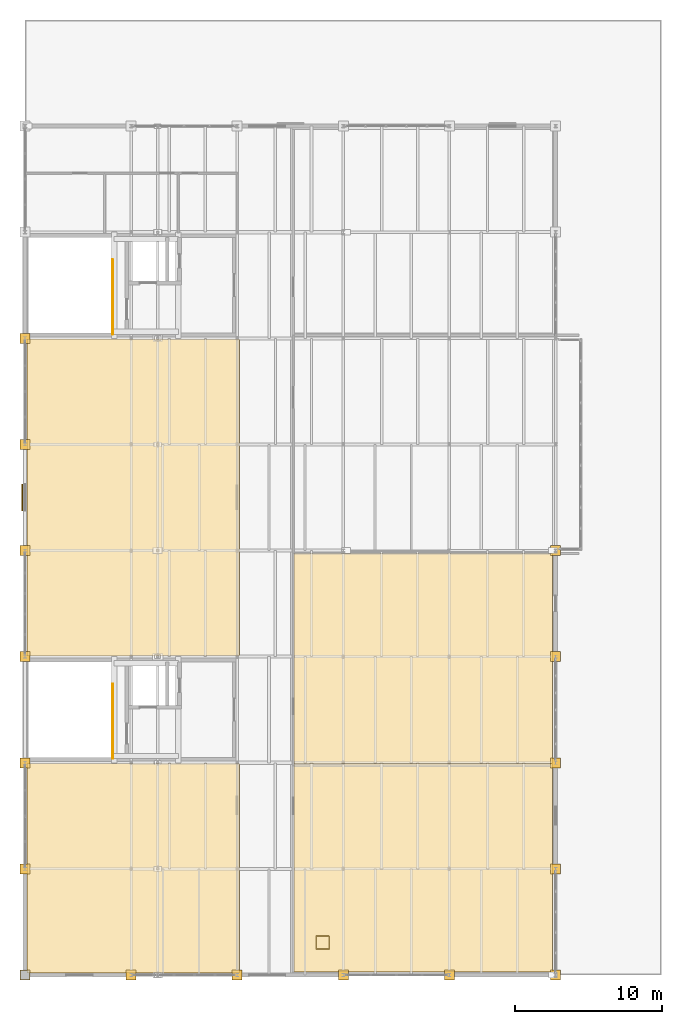
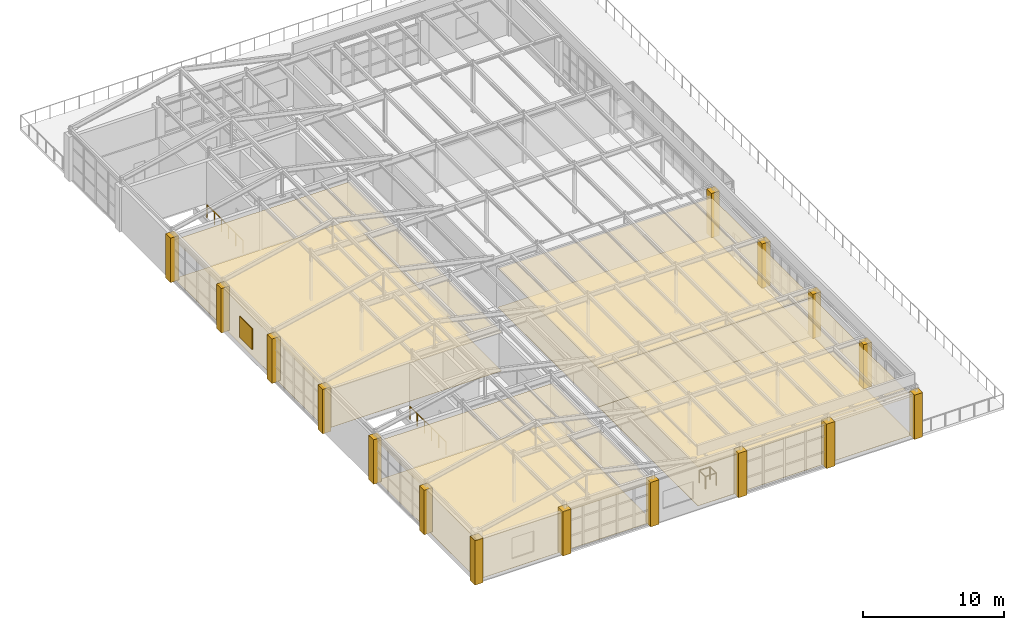
# One storey, part 42 of 43: 24 coverings, 3 railings, 1 shading device.
"""IFC4 building model written with IfcOpenShell, lengths in metres."""

from ifc_helpers import new_model, si_unit, direction, frame, origin, origin_2d, place, context, subcontext, project, spatial, polyline, rectangle, circle, outline, extrude, material, layer, layer_set, type_object, element, save


model = new_model("IFC4")

# Units and contexts
model_context = context("Model", 3, precision=1e-05, world=origin(), true_north=direction((0.0, 1.0)))
body_context = subcontext(model_context, "Body", "Model", "MODEL_VIEW")
ifc_project = project(units=[si_unit("LENGTHUNIT", "METRE"), si_unit("AREAUNIT", "SQUARE_METRE"), si_unit("VOLUMEUNIT", "CUBIC_METRE"), si_unit("PLANEANGLEUNIT", "RADIAN"), si_unit("MASSUNIT", "GRAM", prefix="KILO")], contexts=[model_context])

# Site, building, storey
site_placement = place(None, origin())
site = spatial("IfcSite", under=ifc_project, at=site_placement, CompositionType="ELEMENT")
building_placement = place(site_placement, origin())
building = spatial("IfcBuilding", under=site, at=building_placement, Name="Kemerveld Promenade Tramway Depot", CompositionType="ELEMENT")
storey_placement = place(building_placement, frame((0.0, 0.0, 18.89990234375)))
storey = spatial("IfcBuildingStorey", under=building, at=storey_placement, Name="L04", CompositionType="ELEMENT", Elevation=18.89990234375)

# Coverings
ifc_material_1 = material(Name="Perforated mineral-fibre acoustic ceiling")
ifc_layer_1 = layer(ifc_material_1, 0.02490234375)
ifc_layer_set_1 = layer_set([ifc_layer_1], Name="COV-CEIL-AC")
covering_type_1 = type_object("IfcCoveringType", Name="COV-CEIL-AC", PredefinedType="CEILING", material=ifc_layer_set_1)
covering_1_placement = place(storey_placement, frame((0.0, 0.0, 3.35498046875)))
element("IfcCovering", 1, at=covering_1_placement, inside=storey, type_object=covering_type_1, Name="CEIL-RM-L04-V5-INC", PredefinedType="CEILING", context=body_context, shape_type="SweptSolid", body=[
    extrude(outline(polyline([(18.257568359375, 14.050048828125), (35.784912109375, 14.050048828125), (35.784912109375, 28.60009765625), (18.257568359375, 28.60009765625), (18.257568359375, 14.050048828125)])), origin(), (0.0, 0.0, 1.0), 0.025146484375),
])
covering_2_placement = place(storey_placement, frame((0.0, 0.0, 3.35498046875)))
element("IfcCovering", 2, at=covering_2_placement, inside=storey, type_object=covering_type_1, Name="CEIL-RM-L04-V5-DIR", PredefinedType="CEILING", context=body_context, shape_type="SweptSolid", body=[
    extrude(outline(polyline([(18.257568359375, 0.215087890625), (35.784912109375, 0.215087890625), (35.784912109375, 14.35009765625), (18.257568359375, 14.35009765625), (18.257568359375, 0.215087890625)])), origin(), (0.0, 0.0, 1.0), 0.025146484375),
])
covering_3_placement = place(storey_placement, frame((0.0, 0.0, 3.35498046875)))
element("IfcCovering", 3, at=covering_3_placement, inside=storey, type_object=covering_type_1, Name="CEIL-RM-L04-V5-PLAN", PredefinedType="CEILING", context=body_context, shape_type="SweptSolid", body=[
    extrude(outline(polyline([(0.14990234375, 0.14990234375), (14.550048828125, 0.14990234375), (14.550048828125, 14.35009765625), (0.14990234375, 14.35009765625), (0.14990234375, 0.14990234375)])), origin(), (0.0, 0.0, 1.0), 0.025146484375),
])
covering_4_placement = place(storey_placement, frame((0.0, 0.0, 3.35498046875)))
element("IfcCovering", 4, at=covering_4_placement, inside=storey, type_object=covering_type_1, Name="CEIL-RM-L04-V5-TEA", PredefinedType="CEILING", context=body_context, shape_type="SweptSolid", body=[
    extrude(outline(polyline([(0.14990234375, 21.64990234375), (14.550048828125, 21.64990234375), (14.550048828125, 43.14990234375), (0.14990234375, 43.14990234375), (0.14990234375, 21.64990234375)])), origin(), (0.0, 0.0, 1.0), 0.025146484375),
])
ifc_material_2 = material(Name="Dressed Harare granite ashlar cladding", Category="masonry")
ifc_layer_2 = layer(ifc_material_2, 0.050048828125)
ifc_layer_set_2 = layer_set([ifc_layer_2], Name="COV-CLAD-GRAN")
covering_type_2 = type_object("IfcCoveringType", Name="COV-CLAD-GRAN", PredefinedType="CLADDING", material=ifc_layer_set_2)
covering_5_placement = place(storey_placement, origin())
element("IfcCovering", 5, at=covering_5_placement, inside=storey, type_object=covering_type_2, Name="CLAD-PIER-L04-383", PredefinedType="CLADDING", context=body_context, shape_type="SweptSolid", body=[
    extrude(outline(polyline([(-0.340087890625, -0.340087890625), (0.340087890625, -0.340087890625), (0.340087890625, 0.340087890625), (-0.340087890625, 0.340087890625), (-0.340087890625, -0.340087890625)])), origin(), (0.0, 0.0, 1.0), 3.85009765625),
])
covering_6_placement = place(storey_placement, origin())
element("IfcCovering", 6, at=covering_6_placement, inside=storey, type_object=covering_type_2, Name="CLAD-PIER-L04-384", PredefinedType="CLADDING", context=body_context, shape_type="SweptSolid", body=[
    extrude(outline(polyline([(-0.340087890625, 6.860107421875), (0.340087890625, 6.860107421875), (0.340087890625, 7.5400390625), (-0.340087890625, 7.5400390625), (-0.340087890625, 6.860107421875)])), origin(), (0.0, 0.0, 1.0), 3.85009765625),
])
covering_7_placement = place(storey_placement, origin())
element("IfcCovering", 7, at=covering_7_placement, inside=storey, type_object=covering_type_2, Name="CLAD-PIER-L04-385", PredefinedType="CLADDING", context=body_context, shape_type="SweptSolid", body=[
    extrude(outline(polyline([(-0.340087890625, 14.06005859375), (0.340087890625, 14.06005859375), (0.340087890625, 14.739990234375), (-0.340087890625, 14.739990234375), (-0.340087890625, 14.06005859375)])), origin(), (0.0, 0.0, 1.0), 3.85009765625),
])
covering_8_placement = place(storey_placement, origin())
element("IfcCovering", 8, at=covering_8_placement, inside=storey, type_object=covering_type_2, Name="CLAD-PIER-L04-386", PredefinedType="CLADDING", context=body_context, shape_type="SweptSolid", body=[
    extrude(outline(polyline([(-0.340087890625, 21.260009765625), (0.340087890625, 21.260009765625), (0.340087890625, 21.93994140625), (-0.340087890625, 21.93994140625), (-0.340087890625, 21.260009765625)])), origin(), (0.0, 0.0, 1.0), 3.85009765625),
])
covering_9_placement = place(storey_placement, origin())
element("IfcCovering", 9, at=covering_9_placement, inside=storey, type_object=covering_type_2, Name="CLAD-PIER-L04-387", PredefinedType="CLADDING", context=body_context, shape_type="SweptSolid", body=[
    extrude(outline(polyline([(-0.340087890625, 28.4599609375), (0.340087890625, 28.4599609375), (0.340087890625, 29.139892578125), (-0.340087890625, 29.139892578125), (-0.340087890625, 28.4599609375)])), origin(), (0.0, 0.0, 1.0), 3.85009765625),
])
covering_10_placement = place(storey_placement, origin())
element("IfcCovering", 10, at=covering_10_placement, inside=storey, type_object=covering_type_2, Name="CLAD-PIER-L04-388", PredefinedType="CLADDING", context=body_context, shape_type="SweptSolid", body=[
    extrude(outline(polyline([(-0.340087890625, 35.659912109375), (0.340087890625, 35.659912109375), (0.340087890625, 36.340087890625), (-0.340087890625, 36.340087890625), (-0.340087890625, 35.659912109375)])), origin(), (0.0, 0.0, 1.0), 3.85009765625),
])
covering_11_placement = place(storey_placement, origin())
element("IfcCovering", 11, at=covering_11_placement, inside=storey, type_object=covering_type_2, Name="CLAD-PIER-L04-389", PredefinedType="CLADDING", context=body_context, shape_type="SweptSolid", body=[
    extrude(outline(polyline([(-0.340087890625, 42.860107421875), (0.340087890625, 42.860107421875), (0.340087890625, 43.5400390625), (-0.340087890625, 43.5400390625), (-0.340087890625, 42.860107421875)])), origin(), (0.0, 0.0, 1.0), 3.85009765625),
])
covering_12_placement = place(storey_placement, origin())
element("IfcCovering", 12, at=covering_12_placement, inside=storey, type_object=covering_type_2, Name="CLAD-PIER-L04-397", PredefinedType="CLADDING", context=body_context, shape_type="SweptSolid", body=[
    extrude(outline(polyline([(35.659912109375, -0.340087890625), (36.340087890625, -0.340087890625), (36.340087890625, 0.340087890625), (35.659912109375, 0.340087890625), (35.659912109375, -0.340087890625)])), origin(), (0.0, 0.0, 1.0), 3.85009765625),
])
covering_13_placement = place(storey_placement, origin())
element("IfcCovering", 13, at=covering_13_placement, inside=storey, type_object=covering_type_2, Name="CLAD-PIER-L04-398", PredefinedType="CLADDING", context=body_context, shape_type="SweptSolid", body=[
    extrude(outline(polyline([(28.4599609375, -0.340087890625), (29.139892578125, -0.340087890625), (29.139892578125, 0.340087890625), (28.4599609375, 0.340087890625), (28.4599609375, -0.340087890625)])), origin(), (0.0, 0.0, 1.0), 3.85009765625),
])
covering_14_placement = place(storey_placement, origin())
element("IfcCovering", 14, at=covering_14_placement, inside=storey, type_object=covering_type_2, Name="CLAD-PIER-L04-399", PredefinedType="CLADDING", context=body_context, shape_type="SweptSolid", body=[
    extrude(outline(polyline([(21.260009765625, -0.340087890625), (21.93994140625, -0.340087890625), (21.93994140625, 0.340087890625), (21.260009765625, 0.340087890625), (21.260009765625, -0.340087890625)])), origin(), (0.0, 0.0, 1.0), 3.85009765625),
])
covering_15_placement = place(storey_placement, origin())
element("IfcCovering", 15, at=covering_15_placement, inside=storey, type_object=covering_type_2, Name="CLAD-PIER-L04-400", PredefinedType="CLADDING", context=body_context, shape_type="SweptSolid", body=[
    extrude(outline(polyline([(14.06005859375, -0.340087890625), (14.739990234375, -0.340087890625), (14.739990234375, 0.340087890625), (14.06005859375, 0.340087890625), (14.06005859375, -0.340087890625)])), origin(), (0.0, 0.0, 1.0), 3.85009765625),
])
covering_16_placement = place(storey_placement, origin())
element("IfcCovering", 16, at=covering_16_placement, inside=storey, type_object=covering_type_2, Name="CLAD-PIER-L04-401", PredefinedType="CLADDING", context=body_context, shape_type="SweptSolid", body=[
    extrude(outline(polyline([(6.860107421875, -0.340087890625), (7.5400390625, -0.340087890625), (7.5400390625, 0.340087890625), (6.860107421875, 0.340087890625), (6.860107421875, -0.340087890625)])), origin(), (0.0, 0.0, 1.0), 3.85009765625),
])
covering_17_placement = place(storey_placement, origin())
element("IfcCovering", 17, at=covering_17_placement, inside=storey, type_object=covering_type_2, Name="CLAD-PIER-L04-402", PredefinedType="CLADDING", context=body_context, shape_type="SweptSolid", body=[
    extrude(outline(polyline([(35.659912109375, 28.4599609375), (36.340087890625, 28.4599609375), (36.340087890625, 29.139892578125), (35.659912109375, 29.139892578125), (35.659912109375, 28.4599609375)])), origin(), (0.0, 0.0, 1.0), 3.85009765625),
])
covering_18_placement = place(storey_placement, origin())
element("IfcCovering", 18, at=covering_18_placement, inside=storey, type_object=covering_type_2, Name="CLAD-PIER-L04-403", PredefinedType="CLADDING", context=body_context, shape_type="SweptSolid", body=[
    extrude(outline(polyline([(35.659912109375, 21.260009765625), (36.340087890625, 21.260009765625), (36.340087890625, 21.93994140625), (35.659912109375, 21.93994140625), (35.659912109375, 21.260009765625)])), origin(), (0.0, 0.0, 1.0), 3.85009765625),
])
covering_19_placement = place(storey_placement, origin())
element("IfcCovering", 19, at=covering_19_placement, inside=storey, type_object=covering_type_2, Name="CLAD-PIER-L04-404", PredefinedType="CLADDING", context=body_context, shape_type="SweptSolid", body=[
    extrude(outline(polyline([(35.659912109375, 14.06005859375), (36.340087890625, 14.06005859375), (36.340087890625, 14.739990234375), (35.659912109375, 14.739990234375), (35.659912109375, 14.06005859375)])), origin(), (0.0, 0.0, 1.0), 3.85009765625),
])
covering_20_placement = place(storey_placement, origin())
element("IfcCovering", 20, at=covering_20_placement, inside=storey, type_object=covering_type_2, Name="CLAD-PIER-L04-405", PredefinedType="CLADDING", context=body_context, shape_type="SweptSolid", body=[
    extrude(outline(polyline([(35.659912109375, 6.860107421875), (36.340087890625, 6.860107421875), (36.340087890625, 7.5400390625), (35.659912109375, 7.5400390625), (35.659912109375, 6.860107421875)])), origin(), (0.0, 0.0, 1.0), 3.85009765625),
])
ifc_material_3 = material(Name="Honed Harare granite terrazzo flooring", Category="masonry")
ifc_layer_3 = layer(ifc_material_3, 0.02001953125)
ifc_layer_set_3 = layer_set([ifc_layer_3], Name="COV-FLR-TERR")
covering_type_3 = type_object("IfcCoveringType", Name="COV-FLR-TERR", PredefinedType="FLOORING", material=ifc_layer_set_3)
covering_21_placement = place(storey_placement, origin())
element("IfcCovering", 21, at=covering_21_placement, inside=storey, type_object=covering_type_3, Name="FLR-RM-L04-V5-INC", PredefinedType="FLOORING", context=body_context, shape_type="SweptSolid", body=[
    extrude(outline(polyline([(18.257568359375, 14.050048828125), (35.784912109375, 14.050048828125), (35.784912109375, 28.60009765625), (18.257568359375, 28.60009765625), (18.257568359375, 14.050048828125)])), origin(), (0.0, 0.0, 1.0), 0.02001953125),
])
covering_22_placement = place(storey_placement, origin())
element("IfcCovering", 22, at=covering_22_placement, inside=storey, type_object=covering_type_3, Name="FLR-RM-L04-V5-DIR", PredefinedType="FLOORING", context=body_context, shape_type="SweptSolid", body=[
    extrude(outline(polyline([(18.257568359375, 0.215087890625), (35.784912109375, 0.215087890625), (35.784912109375, 14.35009765625), (18.257568359375, 14.35009765625), (18.257568359375, 0.215087890625)])), origin(), (0.0, 0.0, 1.0), 0.02001953125),
])
covering_23_placement = place(storey_placement, origin())
element("IfcCovering", 23, at=covering_23_placement, inside=storey, type_object=covering_type_3, Name="FLR-RM-L04-V5-PLAN", PredefinedType="FLOORING", context=body_context, shape_type="SweptSolid", body=[
    extrude(outline(polyline([(0.14990234375, 0.14990234375), (14.550048828125, 0.14990234375), (14.550048828125, 14.35009765625), (0.14990234375, 14.35009765625), (0.14990234375, 0.14990234375)])), origin(), (0.0, 0.0, 1.0), 0.02001953125),
])
covering_24_placement = place(storey_placement, origin())
element("IfcCovering", 24, at=covering_24_placement, inside=storey, type_object=covering_type_3, Name="FLR-RM-L04-V5-TEA", PredefinedType="FLOORING", context=body_context, shape_type="SweptSolid", body=[
    extrude(outline(polyline([(0.14990234375, 21.64990234375), (14.550048828125, 21.64990234375), (14.550048828125, 43.14990234375), (0.14990234375, 43.14990234375), (0.14990234375, 21.64990234375)])), origin(), (0.0, 0.0, 1.0), 0.02001953125),
])

# Railings
ifc_material_4 = material(Name="Galvanised painted steel balustrade", Category="steel")
railing_type = type_object("IfcRailingType", Name="RL-GRD-1100", PredefinedType="GUARDRAIL", material=ifc_material_4)
railing_1_placement = place(storey_placement, frame((5.949951171875, 14.679931640625, 0.0)))
element("IfcRailing", 25, at=railing_1_placement, inside=storey, type_object=railing_type, Name="RL-WELL-C1-L04", PredefinedType="GUARDRAIL", context=body_context, shape_type="SweptSolid", body=[
    extrude(circle(Radius=0.02392578125, at=origin_2d()), frame((0.0, 0.0, 1.09619140625), z_axis=(0.0, 1.0, 0.0), x_axis=(-1.0, 0.0, 0.0)), (0.0, 0.0, 1.0), 5.065185546875),
    extrude(circle(Radius=0.02099609375, at=origin_2d()), origin(), (0.0, 0.0, 1.0), 1.072021484375),
    extrude(circle(Radius=0.02099609375, at=origin_2d()), frame((0.0, 1.012939453125, 0.0)), (0.0, 0.0, 1.0), 1.072021484375),
    extrude(circle(Radius=0.02099609375, at=origin_2d()), frame((0.0, 2.026123046875, 0.0)), (0.0, 0.0, 1.0), 1.072021484375),
    extrude(circle(Radius=0.02099609375, at=origin_2d()), frame((0.0, 3.0390625, 0.0)), (0.0, 0.0, 1.0), 1.072021484375),
    extrude(circle(Radius=0.02099609375, at=origin_2d()), frame((0.0, 4.05224609375, 0.0)), (0.0, 0.0, 1.0), 1.072021484375),
    extrude(circle(Radius=0.02099609375, at=origin_2d()), frame((0.0, 5.065185546875, 0.0)), (0.0, 0.0, 1.0), 1.072021484375),
])
railing_2_placement = place(storey_placement, frame((5.949951171875, 43.47998046875, 0.0)))
element("IfcRailing", 26, at=railing_2_placement, inside=storey, type_object=railing_type, Name="RL-WELL-C2-L04", PredefinedType="GUARDRAIL", context=body_context, shape_type="SweptSolid", body=[
    extrude(circle(Radius=0.02392578125, at=origin_2d()), frame((0.0, 0.0, 1.09619140625), z_axis=(0.0, 1.0, 0.0), x_axis=(-1.0, 0.0, 0.0)), (0.0, 0.0, 1.0), 5.06494140625),
    extrude(circle(Radius=0.02099609375, at=origin_2d()), origin(), (0.0, 0.0, 1.0), 1.072021484375),
    extrude(circle(Radius=0.02099609375, at=origin_2d()), frame((0.0, 1.012939453125, 0.0)), (0.0, 0.0, 1.0), 1.072021484375),
    extrude(circle(Radius=0.02099609375, at=origin_2d()), frame((0.0, 2.02587890625, 0.0)), (0.0, 0.0, 1.0), 1.072021484375),
    extrude(circle(Radius=0.02099609375, at=origin_2d()), frame((0.0, 3.0390625, 0.0)), (0.0, 0.0, 1.0), 1.072021484375),
    extrude(circle(Radius=0.02099609375, at=origin_2d()), frame((0.0, 4.052001953125, 0.0)), (0.0, 0.0, 1.0), 1.072021484375),
    extrude(circle(Radius=0.02099609375, at=origin_2d()), frame((0.0, 5.06494140625, 0.0)), (0.0, 0.0, 1.0), 1.072021484375),
])
railing_3_placement = place(storey_placement, frame((19.760009765625, 1.760009765625, 0.0)))
element("IfcRailing", 27, at=railing_3_placement, inside=storey, type_object=railing_type, Name="RL-DUCT-L04-10", PredefinedType="GUARDRAIL", context=body_context, shape_type="SweptSolid", body=[
    extrude(circle(Radius=0.02392578125, at=origin_2d()), frame((0.0, 0.0, 1.09619140625), z_axis=(1.0, 0.0, 0.0), x_axis=(0.0, 1.0, 0.0)), (0.0, 0.0, 1.0), 0.8798828125),
    extrude(circle(Radius=0.02392578125, at=origin_2d()), frame((0.8798828125, 0.0, 1.09619140625), z_axis=(0.0, 1.0, 0.0), x_axis=(-1.0, 0.0, 0.0)), (0.0, 0.0, 1.0), 0.8798828125),
    extrude(circle(Radius=0.02392578125, at=origin_2d()), frame((0.8798828125, 0.8798828125, 1.09619140625), z_axis=(-1.0, 0.0, 0.0), x_axis=(0.0, -1.0, 0.0)), (0.0, 0.0, 1.0), 0.8798828125),
    extrude(circle(Radius=0.02392578125, at=origin_2d()), frame((0.0, 0.8798828125, 1.09619140625), z_axis=(0.0, -1.0, 0.0), x_axis=(1.0, 0.0, 0.0)), (0.0, 0.0, 1.0), 0.81982421875),
    extrude(circle(Radius=0.02099609375, at=origin_2d()), origin(), (0.0, 0.0, 1.0), 1.072021484375),
    extrude(circle(Radius=0.02099609375, at=origin_2d()), frame((0.8798828125, 0.0, 0.0)), (0.0, 0.0, 1.0), 1.072021484375),
    extrude(circle(Radius=0.02099609375, at=origin_2d()), frame((0.8798828125, 0.8798828125, 0.0)), (0.0, 0.0, 1.0), 1.072021484375),
    extrude(circle(Radius=0.02099609375, at=origin_2d()), frame((0.0, 0.8798828125, 0.0)), (0.0, 0.0, 1.0), 1.072021484375),
    extrude(circle(Radius=0.02099609375, at=origin_2d()), frame((0.0, 0.06005859375, 0.0)), (0.0, 0.0, 1.0), 1.072021484375),
])

# Shading device
ifc_material_5 = material(Name="Perforated bronze-aluminium sun screen", Category="aluminium")
ifc_layer_4 = layer(ifc_material_5, 0.080078125)
ifc_layer_set_4 = layer_set([ifc_layer_4], Name="SHD-SCREEN")
shading_device_type = type_object("IfcShadingDeviceType", Name="SHD-SCREEN", PredefinedType="SHUTTER", material=ifc_layer_set_4)
shading_device_placement = place(storey_placement, frame((-0.179931640625, 32.39990234375, 1.05029296875), z_axis=(0.0, 0.0, 1.0), x_axis=(1.0, 0.0, 0.0)))
element("IfcShadingDevice", 28, at=shading_device_placement, inside=storey, type_object=shading_device_type, Name="SHD-L04-029", PredefinedType="SHUTTER", context=body_context, shape_type="SweptSolid", body=[
    extrude(rectangle(XDim=0.080078125, YDim=1.800048828125, at=origin_2d()), origin(), (0.0, 0.0, 1.0), 1.800048828125),
])

save(model, "model.ifc")
